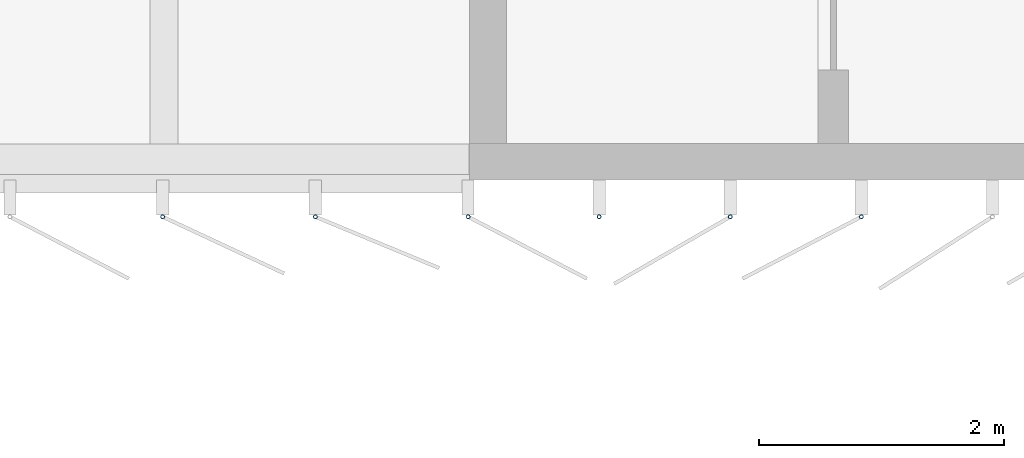
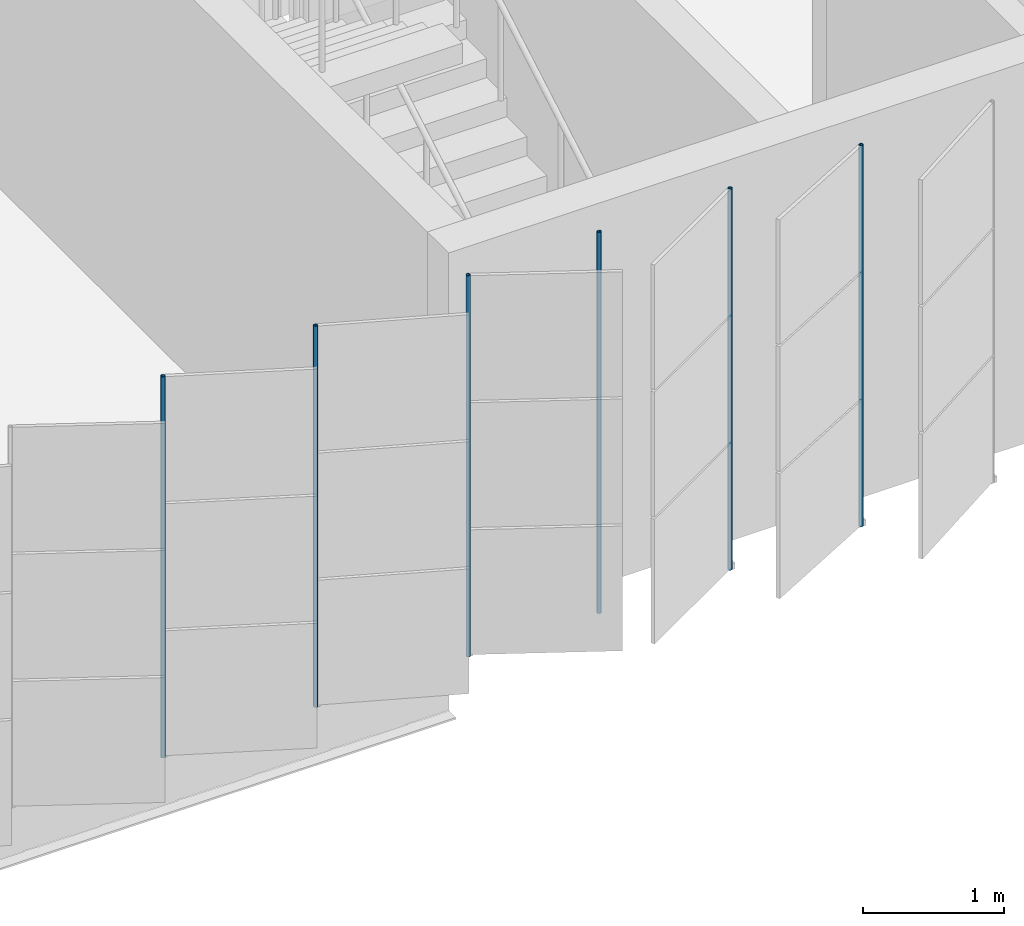
# One storey, part 87 of 199: 6 discrete accessories.
"""IFC4 building model written with IfcOpenShell, lengths in metres."""

from ifc_helpers import new_model, si_unit, direction, frame, origin, origin_2d, place, context, subcontext, project, spatial, hollow_circle, extrude, material, material_profile, profile_set, type_object, element, save


model = new_model("IFC4")

# Units and contexts
model_context = context("Model", 3, precision=1e-05, world=origin(), true_north=direction((0.0, 1.0)))
body_context = subcontext(model_context, "Body", "Model", "MODEL_VIEW")
ifc_project = project(units=[si_unit("LENGTHUNIT", "METRE"), si_unit("AREAUNIT", "SQUARE_METRE"), si_unit("VOLUMEUNIT", "CUBIC_METRE"), si_unit("PLANEANGLEUNIT", "RADIAN"), si_unit("MASSUNIT", "GRAM", prefix="KILO")], contexts=[model_context])

# Site, building, storey
site_placement = place(None, origin())
site = spatial("IfcSite", under=ifc_project, at=site_placement, CompositionType="ELEMENT")
building_placement = place(site_placement, origin())
building = spatial("IfcBuilding", under=site, at=building_placement, Name="Parallax Yard Mobility Hub", CompositionType="ELEMENT")
storey_placement = place(building_placement, frame((0.0, 0.0, 9.89990234375)))
storey = spatial("IfcBuildingStorey", under=building, at=storey_placement, Name="L03", CompositionType="ELEMENT", Elevation=9.89990234375)

# Discrete accessories
ifc_material = material(Name="Steel ASTM A500 Gr C, hot-dip galvanised", Category="steel")
ifc_material_profile = material_profile(ifc_material, hollow_circle(Radius=0.016845703125, WallThickness=0.003173828125, at=origin_2d()), Name="CHS 33.7x3.2")
ifc_profile_set = profile_set([ifc_material_profile], Name="Steel ASTM A500 Gr C, hot-dip galvanised")
discrete_accessory_type = type_object("IfcDiscreteAccessoryType", Name="Hinge post CHS 33.7x3.2", PredefinedType="BRACKET", material=ifc_profile_set)
for number, where, z_axis, x_axis, name in (
    (1, (124.988525390625, 112.199951171875, 0.0), (0.0, 0.0, 1.0), (1.0, 0.0, 0.0), "Hinge post bay 12.5 level L03"),
    (2, (126.23779296875, 112.199951171875, 0.0), (0.0, 0.0, 1.0), (1.0, 0.0, 0.0), "Hinge post bay 12.6 level L03"),
    (3, (127.487060546875, 112.199951171875, 0.0), (0.0, 0.0, 1.0), (1.0, 0.0, 0.0), "Hinge post bay 13.1 level L03"),
    (4, (128.55908203125, 112.199951171875, 0.0), (0.0, 0.0, 1.0), (1.0, 0.0, 0.0), "Hinge post bay 13.2 level L03"),
    (5, (129.63134765625, 112.199951171875, 0.0), (0.0, 0.0, 1.0), (1.0, 0.0, 0.0), "Hinge post bay 13.3 level L03"),
    (6, (130.70361328125, 112.199951171875, 0.0), (0.0, 0.0, 1.0), (1.0, 0.0, 0.0), "Hinge post bay 13.4 level L03"),
):
    element("IfcDiscreteAccessory", number, at=place(storey_placement, frame(where, z_axis=z_axis, x_axis=x_axis)), inside=storey, type_object=discrete_accessory_type, Name=name, PredefinedType="BRACKET", context=body_context, shape_type="SweptSolid", body=[
        extrude(hollow_circle(Radius=0.016845703125, WallThickness=0.003173828125, at=origin_2d()), origin(), (0.0, 0.0, 1.0), 3.300048828125),
    ])

save(model, "model.ifc")
